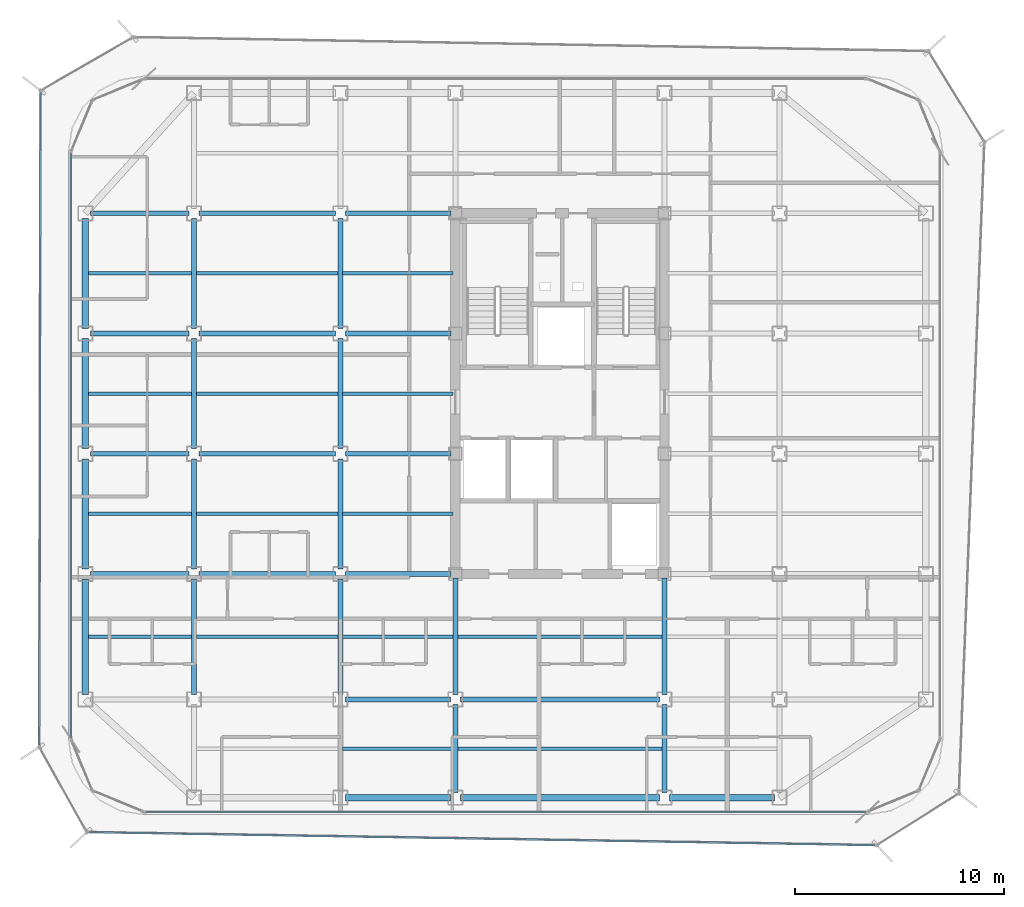
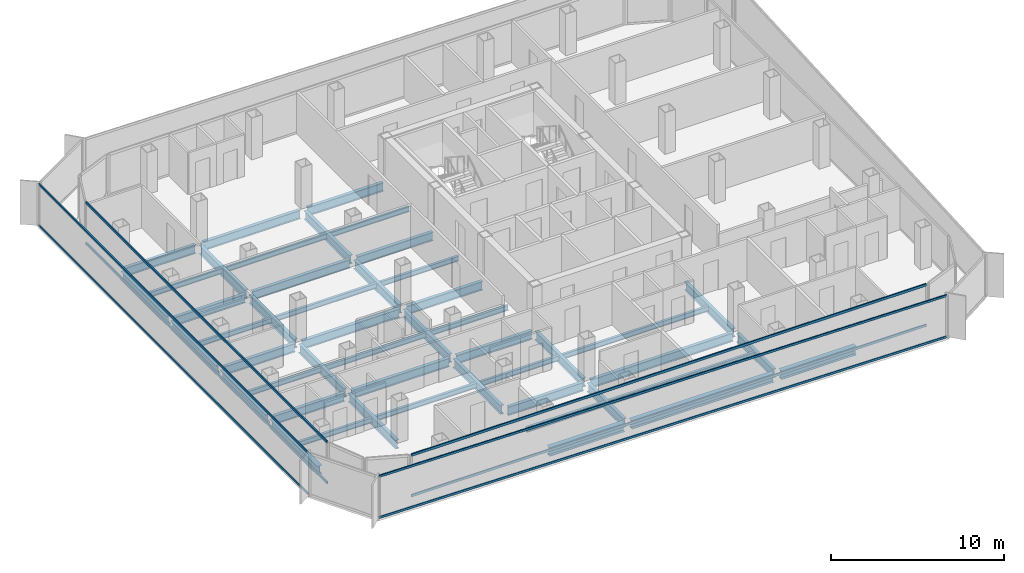
# One storey, part 3 of 16: 48 beams, 8 members, 4 elements without a shape of their own.
"""IFC4 building model written with IfcOpenShell, lengths in metres."""

from ifc_helpers import new_model, si_unit, direction, frame, origin, origin_2d, place, context, subcontext, project, spatial, hollow_rectangle, i_section, extrude, source, transform, mapped, material, layer, layer_set, material_profile, profile_set, type_object, element, aggregate, save


model = new_model("IFC4")

# Units and contexts
model_context = context("Model", 3, precision=1e-05, world=origin(), true_north=direction((0.0, 1.0)))
body_context = subcontext(model_context, "Body", "Model", "MODEL_VIEW")
ifc_project = project(units=[si_unit("LENGTHUNIT", "METRE"), si_unit("AREAUNIT", "SQUARE_METRE"), si_unit("VOLUMEUNIT", "CUBIC_METRE"), si_unit("PLANEANGLEUNIT", "RADIAN"), si_unit("MASSUNIT", "GRAM", prefix="KILO")], contexts=[model_context])

# Site, building, storey
site_placement = place(None, origin())
site = spatial("IfcSite", under=ifc_project, at=site_placement, CompositionType="ELEMENT")
building_placement = place(site_placement, origin())
building = spatial("IfcBuilding", under=site, at=building_placement, Name="Kolveth Station Tower", CompositionType="ELEMENT")
storey_placement = place(building_placement, frame((0.0, 0.0, 206.0)))
storey = spatial("IfcBuildingStorey", under=building, at=storey_placement, Name="L58", CompositionType="ELEMENT", Elevation=206.0)

# Beams
ifc_material_1 = material(Name="Steel S355", Category="steel")
ifc_material_profile_1 = material_profile(ifc_material_1, i_section(OverallWidth=0.323974609375, OverallDepth=0.611083984375, WebThickness=0.0126953125, FlangeThickness=0.01904296875, at=origin_2d()), Name="W610x155")
ifc_profile_set_1 = profile_set([ifc_material_profile_1], Name="Steel S355")
beam_type_1 = type_object("IfcBeamType", Name="Beam_SP2", PredefinedType="SPANDREL", material=ifc_profile_set_1)
shared_shape_1 = source(origin(), body_context, "Body", "SweptSolid", [
    extrude(i_section(OverallWidth=0.323974609375, OverallDepth=0.611083984375, WebThickness=0.0126953125, FlangeThickness=0.01904296875, at=origin_2d()), origin(), (0.0, 0.0, 1.0), 5.02001953125),
])
for number, where, z_axis, x_axis, name in (
    (1, (13.239990234375, 0.800048828125, -0.555419921875), (1.0, 0.0, 0.0), (0.0, 1.0, 0.0), "L58 Perimeter Spandrel BM-L58-PS-2"),
    (2, (28.739990234375, 0.800048828125, -0.555419921875), (1.0, 0.0, 0.0), (0.0, 1.0, 0.0), "L58 Perimeter Spandrel BM-L58-PS-4"),
):
    element("IfcBeam", number, at=place(storey_placement, frame(where, z_axis=z_axis, x_axis=x_axis)), inside=storey, type_object=beam_type_1, Name=name, PredefinedType="SPANDREL", context=body_context, shape_type="MappedRepresentation", body=[
        mapped(shared_shape_1, transform((0.0, 0.0, 0.0), x_axis=(1.0, 0.0, 0.0), y_axis=(0.0, 1.0, 0.0), z_axis=(0.0, 0.0, 1.0), scale=1.0)),
    ])
shared_shape_2 = source(origin(), body_context, "Body", "SweptSolid", [
    extrude(i_section(OverallWidth=0.323974609375, OverallDepth=0.611083984375, WebThickness=0.0126953125, FlangeThickness=0.01904296875, at=origin_2d()), origin(), (0.0, 0.0, 1.0), 9.52001953125),
])
beam_1_placement = place(storey_placement, frame((18.739990234375, 0.800048828125, -0.555419921875), z_axis=(1.0, 0.0, 0.0), x_axis=(0.0, 1.0, 0.0)))
element("IfcBeam", 3, at=beam_1_placement, inside=storey, type_object=beam_type_1, Name="L58 Perimeter Spandrel BM-L58-PS-3", PredefinedType="SPANDREL", context=body_context, shape_type="MappedRepresentation", body=[
    mapped(shared_shape_2, transform((0.0, 0.0, 0.0), x_axis=(1.0, 0.0, 0.0), y_axis=(0.0, 1.0, 0.0), z_axis=(0.0, 0.0, 1.0), scale=1.0)),
])
shared_shape_3 = source(origin(), body_context, "Body", "SweptSolid", [
    extrude(i_section(OverallWidth=0.323974609375, OverallDepth=0.611083984375, WebThickness=0.0126953125, FlangeThickness=0.01904296875, at=origin_2d()), origin(), (0.0, 0.0, 1.0), 5.52001953125),
])
beam_2_placement = place(storey_placement, frame((0.800048828125, 5.739990234375, -0.555419921875), z_axis=(0.0, 1.0, 0.0), x_axis=(-1.0, 0.0, 0.0)))
element("IfcBeam", 4, at=beam_2_placement, inside=storey, type_object=beam_type_1, Name="L58 Perimeter Spandrel BM-L58-PW-1", PredefinedType="SPANDREL", context=body_context, shape_type="MappedRepresentation", body=[
    mapped(shared_shape_3, transform((0.0, 0.0, 0.0), x_axis=(1.0, 0.0, 0.0), y_axis=(0.0, 1.0, 0.0), z_axis=(0.0, 0.0, 1.0), scale=1.0)),
])
shared_shape_4 = source(origin(), body_context, "Body", "SweptSolid", [
    extrude(i_section(OverallWidth=0.323974609375, OverallDepth=0.611083984375, WebThickness=0.0126953125, FlangeThickness=0.01904296875, at=origin_2d()), origin(), (0.0, 0.0, 1.0), 5.27001953125),
])
for number, where, z_axis, x_axis, name in (
    (5, (0.800048828125, 11.739990234375, -0.555419921875), (0.0, 1.0, 0.0), (-1.0, 0.0, 0.0), "L58 Perimeter Spandrel BM-L58-PW-2"),
    (6, (0.800048828125, 17.489990234375, -0.555419921875), (0.0, 1.0, 0.0), (-1.0, 0.0, 0.0), "L58 Perimeter Spandrel BM-L58-PW-3"),
    (7, (0.800048828125, 23.239990234375, -0.555419921875), (0.0, 1.0, 0.0), (-1.0, 0.0, 0.0), "L58 Perimeter Spandrel BM-L58-PW-4"),
):
    element("IfcBeam", number, at=place(storey_placement, frame(where, z_axis=z_axis, x_axis=x_axis)), inside=storey, type_object=beam_type_1, Name=name, PredefinedType="SPANDREL", context=body_context, shape_type="MappedRepresentation", body=[
        mapped(shared_shape_4, transform((0.0, 0.0, 0.0), x_axis=(1.0, 0.0, 0.0), y_axis=(0.0, 1.0, 0.0), z_axis=(0.0, 0.0, 1.0), scale=1.0)),
    ])
ifc_material_profile_2 = material_profile(ifc_material_1, i_section(OverallWidth=0.22900390625, OverallDepth=0.612060546875, WebThickness=0.011962890625, FlangeThickness=0.01953125, at=origin_2d()), Name="W610x125")
ifc_profile_set_2 = profile_set([ifc_material_profile_2], Name="Steel S355")
beam_type_2 = type_object("IfcBeamType", Name="Beam_B5", PredefinedType="BEAM", material=ifc_profile_set_2)
shared_shape_5 = source(origin(), body_context, "Body", "SweptSolid", [
    extrude(i_section(OverallWidth=0.22900390625, OverallDepth=0.612060546875, WebThickness=0.011962890625, FlangeThickness=0.01953125, at=origin_2d()), origin(), (0.0, 0.0, 1.0), 4.719970703125),
])
for number, where, z_axis, x_axis, name in (
    (8, (1.0400390625, 11.5, -0.555908203125), (1.0, 0.0, 0.0), (0.0, 1.0, 0.0), "L58 Primary Girder BM-L58-GY115-1"),
    (9, (1.0400390625, 17.25, -0.555908203125), (1.0, 0.0, 0.0), (0.0, 1.0, 0.0), "L58 Primary Girder BM-L58-GY172-1"),
    (10, (1.0400390625, 23.0, -0.555908203125), (1.0, 0.0, 0.0), (0.0, 1.0, 0.0), "L58 Primary Girder BM-L58-GY230-1"),
    (11, (1.0400390625, 28.75, -0.555908203125), (1.0, 0.0, 0.0), (0.0, 1.0, 0.0), "L58 Primary Girder BM-L58-GY287-1"),
):
    element("IfcBeam", number, at=place(storey_placement, frame(where, z_axis=z_axis, x_axis=x_axis)), inside=storey, type_object=beam_type_2, Name=name, PredefinedType="BEAM", context=body_context, shape_type="MappedRepresentation", body=[
        mapped(shared_shape_5, transform((0.0, 0.0, 0.0), x_axis=(1.0, 0.0, 0.0), y_axis=(0.0, 1.0, 0.0), z_axis=(0.0, 0.0, 1.0), scale=1.0)),
    ])
shared_shape_6 = source(origin(), body_context, "Body", "SweptSolid", [
    extrude(i_section(OverallWidth=0.22900390625, OverallDepth=0.612060546875, WebThickness=0.011962890625, FlangeThickness=0.01953125, at=origin_2d()), origin(), (0.0, 0.0, 1.0), 6.52001953125),
])
for number, where, z_axis, x_axis, name in (
    (12, (6.239990234375, 11.5, -0.555908203125), (1.0, 0.0, 0.0), (0.0, 1.0, 0.0), "L58 Primary Girder BM-L58-GY115-2"),
    (13, (6.239990234375, 17.25, -0.555908203125), (1.0, 0.0, 0.0), (0.0, 1.0, 0.0), "L58 Primary Girder BM-L58-GY172-2"),
    (14, (6.239990234375, 23.0, -0.555908203125), (1.0, 0.0, 0.0), (0.0, 1.0, 0.0), "L58 Primary Girder BM-L58-GY230-2"),
    (15, (6.239990234375, 28.75, -0.555908203125), (1.0, 0.0, 0.0), (0.0, 1.0, 0.0), "L58 Primary Girder BM-L58-GY287-2"),
):
    element("IfcBeam", number, at=place(storey_placement, frame(where, z_axis=z_axis, x_axis=x_axis)), inside=storey, type_object=beam_type_2, Name=name, PredefinedType="BEAM", context=body_context, shape_type="MappedRepresentation", body=[
        mapped(shared_shape_6, transform((0.0, 0.0, 0.0), x_axis=(1.0, 0.0, 0.0), y_axis=(0.0, 1.0, 0.0), z_axis=(0.0, 0.0, 1.0), scale=1.0)),
    ])
shared_shape_7 = source(origin(), body_context, "Body", "SweptSolid", [
    extrude(i_section(OverallWidth=0.22900390625, OverallDepth=0.612060546875, WebThickness=0.011962890625, FlangeThickness=0.01953125, at=origin_2d()), origin(), (0.0, 0.0, 1.0), 5.02001953125),
])
beam_3_placement = place(storey_placement, frame((13.239990234375, 5.5, -0.555908203125), z_axis=(1.0, 0.0, 0.0), x_axis=(0.0, 1.0, 0.0)))
element("IfcBeam", 16, at=beam_3_placement, inside=storey, type_object=beam_type_2, Name="L58 Primary Girder BM-L58-GY55-3", PredefinedType="BEAM", context=body_context, shape_type="MappedRepresentation", body=[
    mapped(shared_shape_7, transform((0.0, 0.0, 0.0), x_axis=(1.0, 0.0, 0.0), y_axis=(0.0, 1.0, 0.0), z_axis=(0.0, 0.0, 1.0), scale=1.0)),
])
shared_shape_8 = source(origin(), body_context, "Body", "SweptSolid", [
    extrude(i_section(OverallWidth=0.22900390625, OverallDepth=0.612060546875, WebThickness=0.011962890625, FlangeThickness=0.01953125, at=origin_2d()), origin(), (0.0, 0.0, 1.0), 9.52001953125),
])
beam_4_placement = place(storey_placement, frame((18.739990234375, 5.5, -0.555908203125), z_axis=(1.0, 0.0, 0.0), x_axis=(0.0, 1.0, 0.0)))
element("IfcBeam", 17, at=beam_4_placement, inside=storey, type_object=beam_type_2, Name="L58 Primary Girder BM-L58-GY55-4", PredefinedType="BEAM", context=body_context, shape_type="MappedRepresentation", body=[
    mapped(shared_shape_8, transform((0.0, 0.0, 0.0), x_axis=(1.0, 0.0, 0.0), y_axis=(0.0, 1.0, 0.0), z_axis=(0.0, 0.0, 1.0), scale=1.0)),
])
shared_shape_9 = source(origin(), body_context, "Body", "SweptSolid", [
    extrude(i_section(OverallWidth=0.22900390625, OverallDepth=0.612060546875, WebThickness=0.011962890625, FlangeThickness=0.01953125, at=origin_2d()), origin(), (0.0, 0.0, 1.0), 5.06005859375),
])
for number, where, z_axis, x_axis, name in (
    (18, (13.239990234375, 11.5, -0.555908203125), (1.0, 0.0, 0.0), (0.0, 1.0, 0.0), "L58 Primary Girder BM-L58-GY115-3"),
    (19, (13.239990234375, 17.25, -0.555908203125), (1.0, 0.0, 0.0), (0.0, 1.0, 0.0), "L58 Primary Girder BM-L58-GY172-3"),
    (20, (13.239990234375, 23.0, -0.555908203125), (1.0, 0.0, 0.0), (0.0, 1.0, 0.0), "L58 Primary Girder BM-L58-GY230-3"),
    (21, (13.239990234375, 28.75, -0.555908203125), (1.0, 0.0, 0.0), (0.0, 1.0, 0.0), "L58 Primary Girder BM-L58-GY287-3"),
):
    element("IfcBeam", number, at=place(storey_placement, frame(where, z_axis=z_axis, x_axis=x_axis)), inside=storey, type_object=beam_type_2, Name=name, PredefinedType="BEAM", context=body_context, shape_type="MappedRepresentation", body=[
        mapped(shared_shape_9, transform((0.0, 0.0, 0.0), x_axis=(1.0, 0.0, 0.0), y_axis=(0.0, 1.0, 0.0), z_axis=(0.0, 0.0, 1.0), scale=1.0)),
    ])
shared_shape_10 = source(origin(), body_context, "Body", "SweptSolid", [
    extrude(i_section(OverallWidth=0.22900390625, OverallDepth=0.612060546875, WebThickness=0.011962890625, FlangeThickness=0.01953125, at=origin_2d()), origin(), (0.0, 0.0, 1.0), 4.219970703125),
])
for number, where, z_axis, x_axis, name in (
    (22, (18.5, 1.0400390625, -0.555908203125), (0.0, 1.0, 0.0), (-1.0, 0.0, 0.0), "L58 Primary Girder BM-L58-GX185-1"),
    (23, (28.5, 1.0400390625, -0.555908203125), (0.0, 1.0, 0.0), (-1.0, 0.0, 0.0), "L58 Primary Girder BM-L58-GX285-1"),
):
    element("IfcBeam", number, at=place(storey_placement, frame(where, z_axis=z_axis, x_axis=x_axis)), inside=storey, type_object=beam_type_2, Name=name, PredefinedType="BEAM", context=body_context, shape_type="MappedRepresentation", body=[
        mapped(shared_shape_10, transform((0.0, 0.0, 0.0), x_axis=(1.0, 0.0, 0.0), y_axis=(0.0, 1.0, 0.0), z_axis=(0.0, 0.0, 1.0), scale=1.0)),
    ])
shared_shape_11 = source(origin(), body_context, "Body", "SweptSolid", [
    extrude(i_section(OverallWidth=0.22900390625, OverallDepth=0.612060546875, WebThickness=0.011962890625, FlangeThickness=0.01953125, at=origin_2d()), origin(), (0.0, 0.0, 1.0), 5.52001953125),
])
for number, where, z_axis, x_axis, name in (
    (24, (6.0, 5.739990234375, -0.555908203125), (0.0, 1.0, 0.0), (-1.0, 0.0, 0.0), "L58 Primary Girder BM-L58-GX60-2"),
    (25, (13.0, 5.739990234375, -0.555908203125), (0.0, 1.0, 0.0), (-1.0, 0.0, 0.0), "L58 Primary Girder BM-L58-GX130-2"),
):
    element("IfcBeam", number, at=place(storey_placement, frame(where, z_axis=z_axis, x_axis=x_axis)), inside=storey, type_object=beam_type_2, Name=name, PredefinedType="BEAM", context=body_context, shape_type="MappedRepresentation", body=[
        mapped(shared_shape_11, transform((0.0, 0.0, 0.0), x_axis=(1.0, 0.0, 0.0), y_axis=(0.0, 1.0, 0.0), z_axis=(0.0, 0.0, 1.0), scale=1.0)),
    ])
shared_shape_12 = source(origin(), body_context, "Body", "SweptSolid", [
    extrude(i_section(OverallWidth=0.22900390625, OverallDepth=0.612060546875, WebThickness=0.011962890625, FlangeThickness=0.01953125, at=origin_2d()), origin(), (0.0, 0.0, 1.0), 5.27001953125),
])
for number, where, z_axis, x_axis, name in (
    (26, (6.0, 11.739990234375, -0.555908203125), (0.0, 1.0, 0.0), (-1.0, 0.0, 0.0), "L58 Primary Girder BM-L58-GX60-3"),
    (27, (6.0, 17.489990234375, -0.555908203125), (0.0, 1.0, 0.0), (-1.0, 0.0, 0.0), "L58 Primary Girder BM-L58-GX60-4"),
    (28, (6.0, 23.239990234375, -0.555908203125), (0.0, 1.0, 0.0), (-1.0, 0.0, 0.0), "L58 Primary Girder BM-L58-GX60-5"),
    (29, (13.0, 11.739990234375, -0.555908203125), (0.0, 1.0, 0.0), (-1.0, 0.0, 0.0), "L58 Primary Girder BM-L58-GX130-3"),
    (30, (13.0, 17.489990234375, -0.555908203125), (0.0, 1.0, 0.0), (-1.0, 0.0, 0.0), "L58 Primary Girder BM-L58-GX130-4"),
    (31, (13.0, 23.239990234375, -0.555908203125), (0.0, 1.0, 0.0), (-1.0, 0.0, 0.0), "L58 Primary Girder BM-L58-GX130-5"),
):
    element("IfcBeam", number, at=place(storey_placement, frame(where, z_axis=z_axis, x_axis=x_axis)), inside=storey, type_object=beam_type_2, Name=name, PredefinedType="BEAM", context=body_context, shape_type="MappedRepresentation", body=[
        mapped(shared_shape_12, transform((0.0, 0.0, 0.0), x_axis=(1.0, 0.0, 0.0), y_axis=(0.0, 1.0, 0.0), z_axis=(0.0, 0.0, 1.0), scale=1.0)),
    ])
shared_shape_13 = source(origin(), body_context, "Body", "SweptSolid", [
    extrude(i_section(OverallWidth=0.22900390625, OverallDepth=0.612060546875, WebThickness=0.011962890625, FlangeThickness=0.01953125, at=origin_2d()), origin(), (0.0, 0.0, 1.0), 5.56005859375),
])
for number, where, z_axis, x_axis, name in (
    (32, (18.5, 5.739990234375, -0.555908203125), (0.0, 1.0, 0.0), (-1.0, 0.0, 0.0), "L58 Primary Girder BM-L58-GX185-2"),
    (33, (28.5, 5.739990234375, -0.555908203125), (0.0, 1.0, 0.0), (-1.0, 0.0, 0.0), "L58 Primary Girder BM-L58-GX285-2"),
):
    element("IfcBeam", number, at=place(storey_placement, frame(where, z_axis=z_axis, x_axis=x_axis)), inside=storey, type_object=beam_type_2, Name=name, PredefinedType="BEAM", context=body_context, shape_type="MappedRepresentation", body=[
        mapped(shared_shape_13, transform((0.0, 0.0, 0.0), x_axis=(1.0, 0.0, 0.0), y_axis=(0.0, 1.0, 0.0), z_axis=(0.0, 0.0, 1.0), scale=1.0)),
    ])
ifc_material_profile_3 = material_profile(ifc_material_1, i_section(OverallWidth=0.1708984375, OverallDepth=0.35205078125, WebThickness=0.0068359375, FlangeThickness=0.009765625, at=origin_2d()), Name="W360x44")
ifc_profile_set_3 = profile_set([ifc_material_profile_3], Name="Steel S355")
beam_type_3 = type_object("IfcBeamType", Name="Beam_J2", PredefinedType="JOIST", material=ifc_profile_set_3)
shared_shape_14 = source(origin(), body_context, "Body", "SweptSolid", [
    extrude(i_section(OverallWidth=0.1708984375, OverallDepth=0.35205078125, WebThickness=0.0068359375, FlangeThickness=0.009765625, at=origin_2d()), origin(), (0.0, 0.0, 1.0), 4.927490234375),
])
for number, where, z_axis, x_axis, name in (
    (34, (0.9599609375, 8.5, -0.426025390625), (1.0, 0.0, 0.0), (0.0, 1.0, 0.0), "L58 Secondary Joist JST-L58-1-2"),
    (35, (0.9599609375, 14.375, -0.426025390625), (1.0, 0.0, 0.0), (0.0, 1.0, 0.0), "L58 Secondary Joist JST-L58-1-3"),
    (36, (0.9599609375, 20.125, -0.426025390625), (1.0, 0.0, 0.0), (0.0, 1.0, 0.0), "L58 Secondary Joist JST-L58-1-4"),
    (37, (0.9599609375, 25.875, -0.426025390625), (1.0, 0.0, 0.0), (0.0, 1.0, 0.0), "L58 Secondary Joist JST-L58-1-5"),
):
    element("IfcBeam", number, at=place(storey_placement, frame(where, z_axis=z_axis, x_axis=x_axis)), inside=storey, type_object=beam_type_3, Name=name, PredefinedType="JOIST", context=body_context, shape_type="MappedRepresentation", body=[
        mapped(shared_shape_14, transform((0.0, 0.0, 0.0), x_axis=(1.0, 0.0, 0.0), y_axis=(0.0, 1.0, 0.0), z_axis=(0.0, 0.0, 1.0), scale=1.0)),
    ])
shared_shape_15 = source(origin(), body_context, "Body", "SweptSolid", [
    extrude(i_section(OverallWidth=0.1708984375, OverallDepth=0.35205078125, WebThickness=0.0068359375, FlangeThickness=0.009765625, at=origin_2d()), origin(), (0.0, 0.0, 1.0), 6.77490234375),
])
for number, where, z_axis, x_axis, name in (
    (38, (6.112548828125, 8.5, -0.426025390625), (1.0, 0.0, 0.0), (0.0, 1.0, 0.0), "L58 Secondary Joist JST-L58-2-2"),
    (39, (6.112548828125, 14.375, -0.426025390625), (1.0, 0.0, 0.0), (0.0, 1.0, 0.0), "L58 Secondary Joist JST-L58-2-3"),
    (40, (6.112548828125, 20.125, -0.426025390625), (1.0, 0.0, 0.0), (0.0, 1.0, 0.0), "L58 Secondary Joist JST-L58-2-4"),
    (41, (6.112548828125, 25.875, -0.426025390625), (1.0, 0.0, 0.0), (0.0, 1.0, 0.0), "L58 Secondary Joist JST-L58-2-5"),
):
    element("IfcBeam", number, at=place(storey_placement, frame(where, z_axis=z_axis, x_axis=x_axis)), inside=storey, type_object=beam_type_3, Name=name, PredefinedType="JOIST", context=body_context, shape_type="MappedRepresentation", body=[
        mapped(shared_shape_15, transform((0.0, 0.0, 0.0), x_axis=(1.0, 0.0, 0.0), y_axis=(0.0, 1.0, 0.0), z_axis=(0.0, 0.0, 1.0), scale=1.0)),
    ])
shared_shape_16 = source(origin(), body_context, "Body", "SweptSolid", [
    extrude(i_section(OverallWidth=0.1708984375, OverallDepth=0.35205078125, WebThickness=0.0068359375, FlangeThickness=0.009765625, at=origin_2d()), origin(), (0.0, 0.0, 1.0), 5.27490234375),
])
for number, where, z_axis, x_axis, name in (
    (42, (13.112548828125, 3.14990234375, -0.426025390625), (1.0, 0.0, 0.0), (0.0, 1.0, 0.0), "L58 Secondary Joist JST-L58-3-1"),
    (43, (13.112548828125, 8.5, -0.426025390625), (1.0, 0.0, 0.0), (0.0, 1.0, 0.0), "L58 Secondary Joist JST-L58-3-2"),
    (44, (13.112548828125, 14.375, -0.426025390625), (1.0, 0.0, 0.0), (0.0, 1.0, 0.0), "L58 Secondary Joist JST-L58-3-3"),
    (45, (13.112548828125, 20.125, -0.426025390625), (1.0, 0.0, 0.0), (0.0, 1.0, 0.0), "L58 Secondary Joist JST-L58-3-4"),
    (46, (13.112548828125, 25.875, -0.426025390625), (1.0, 0.0, 0.0), (0.0, 1.0, 0.0), "L58 Secondary Joist JST-L58-3-5"),
):
    element("IfcBeam", number, at=place(storey_placement, frame(where, z_axis=z_axis, x_axis=x_axis)), inside=storey, type_object=beam_type_3, Name=name, PredefinedType="JOIST", context=body_context, shape_type="MappedRepresentation", body=[
        mapped(shared_shape_16, transform((0.0, 0.0, 0.0), x_axis=(1.0, 0.0, 0.0), y_axis=(0.0, 1.0, 0.0), z_axis=(0.0, 0.0, 1.0), scale=1.0)),
    ])
shared_shape_17 = source(origin(), body_context, "Body", "SweptSolid", [
    extrude(i_section(OverallWidth=0.1708984375, OverallDepth=0.35205078125, WebThickness=0.0068359375, FlangeThickness=0.009765625, at=origin_2d()), origin(), (0.0, 0.0, 1.0), 9.77490234375),
])
for number, where, z_axis, x_axis, name in (
    (47, (18.612548828125, 3.14990234375, -0.426025390625), (1.0, 0.0, 0.0), (0.0, 1.0, 0.0), "L58 Secondary Joist JST-L58-4-1"),
    (48, (18.612548828125, 8.5, -0.426025390625), (1.0, 0.0, 0.0), (0.0, 1.0, 0.0), "L58 Secondary Joist JST-L58-4-2"),
):
    element("IfcBeam", number, at=place(storey_placement, frame(where, z_axis=z_axis, x_axis=x_axis)), inside=storey, type_object=beam_type_3, Name=name, PredefinedType="JOIST", context=body_context, shape_type="MappedRepresentation", body=[
        mapped(shared_shape_17, transform((0.0, 0.0, 0.0), x_axis=(1.0, 0.0, 0.0), y_axis=(0.0, 1.0, 0.0), z_axis=(0.0, 0.0, 1.0), scale=1.0)),
    ])

# Curtain wall, members
ifc_material_2 = material(Name="Aluminium 6063-T6 and low-E dark glass", Category="aluminium")
ifc_layer_1 = layer(ifc_material_2, 0.18994140625)
ifc_layer_set_1 = layer_set([ifc_layer_1], Name="Aluminium 6063-T6 and low-E dark glass")
curtain_wall_type_1 = type_object("IfcCurtainWallType", Name="CurtainWall_CW-Z2", PredefinedType="NOTDEFINED", material=ifc_layer_set_1)
curtain_wall_1_placement = place(storey_placement, origin())
curtain_wall_1 = element("IfcCurtainWall", 49, at=curtain_wall_1_placement, inside=storey, type_object=curtain_wall_type_1, Name="L58 Inner Thermal Curtain Wall 9", PredefinedType="NOTDEFINED")
ifc_material_3 = material(Name="Black anodized aluminium 6063-T6", Category="aluminium")
ifc_material_profile_4 = material_profile(ifc_material_3, hollow_rectangle(XDim=0.080078125, YDim=0.169921875, WallThickness=0.0048828125, at=origin_2d()), Name="ALU-80x170x5")
ifc_profile_set_4 = profile_set([ifc_material_profile_4], Name="Black anodized aluminium 6063-T6")
member_type_1 = type_object("IfcMemberType", Name="Transom_TR2", PredefinedType="USERDEFINED", material=ifc_profile_set_4)
shared_shape_18 = source(origin(), body_context, "Body", "SweptSolid", [
    extrude(hollow_rectangle(XDim=0.080078125, YDim=0.169921875, WallThickness=0.0048828125, at=origin_2d()), origin(), (0.0, 0.0, 1.0), 27.940185546875),
])
member_1_placement = place(storey_placement, frame((0.1201171875, 31.6201171875, 0.0400390625), z_axis=(0.0, -1.0, 0.0), x_axis=(1.0, 0.0, 0.0)))
member_1 = element("IfcMember", 50, at=member_1_placement, type_object=member_type_1, Name="CW-Z2 transom 1.1", ObjectType="TRANSOM", PredefinedType="USERDEFINED", context=body_context, shape_type="MappedRepresentation", body=[
    mapped(shared_shape_18, transform((0.0, 0.0, 0.0), x_axis=(1.0, 0.0, 0.0), y_axis=(0.0, 1.0, 0.0), z_axis=(0.0, 0.0, 1.0), scale=1.0)),
])
member_2_placement = place(storey_placement, frame((0.1201171875, 31.6201171875, 2.909912109375), z_axis=(0.0, -1.0, 0.0), x_axis=(1.0, 0.0, 0.0)))
member_2 = element("IfcMember", 51, at=member_2_placement, type_object=member_type_1, Name="CW-Z2 transom 1.2", ObjectType="TRANSOM", PredefinedType="USERDEFINED", context=body_context, shape_type="MappedRepresentation", body=[
    mapped(shared_shape_18, transform((0.0, 0.0, 0.0), x_axis=(1.0, 0.0, 0.0), y_axis=(0.0, 1.0, 0.0), z_axis=(0.0, 0.0, 1.0), scale=1.0)),
])
aggregate(curtain_wall_1, [member_1, member_2])

curtain_wall_2_placement = place(storey_placement, origin())
curtain_wall_2 = element("IfcCurtainWall", 52, at=curtain_wall_2_placement, inside=storey, type_object=curtain_wall_type_1, Name="L58 Inner Thermal Curtain Wall 12", PredefinedType="NOTDEFINED")
shared_shape_19 = source(origin(), body_context, "Body", "SweptSolid", [
    extrude(hollow_rectangle(XDim=0.080078125, YDim=0.169921875, WallThickness=0.0048828125, at=origin_2d()), origin(), (0.0, 0.0, 1.0), 34.440185546875),
])
member_3_placement = place(storey_placement, frame((3.679931640625, 0.1201171875, 0.0400390625), z_axis=(1.0, 0.0, 0.0), x_axis=(0.0, 1.0, 0.0)))
member_3 = element("IfcMember", 53, at=member_3_placement, type_object=member_type_1, Name="CW-Z2 transom 1.1", ObjectType="TRANSOM", PredefinedType="USERDEFINED", context=body_context, shape_type="MappedRepresentation", body=[
    mapped(shared_shape_19, transform((0.0, 0.0, 0.0), x_axis=(1.0, 0.0, 0.0), y_axis=(0.0, 1.0, 0.0), z_axis=(0.0, 0.0, 1.0), scale=1.0)),
])
member_4_placement = place(storey_placement, frame((3.679931640625, 0.1201171875, 2.909912109375), z_axis=(1.0, 0.0, 0.0), x_axis=(0.0, 1.0, 0.0)))
member_4 = element("IfcMember", 54, at=member_4_placement, type_object=member_type_1, Name="CW-Z2 transom 1.2", ObjectType="TRANSOM", PredefinedType="USERDEFINED", context=body_context, shape_type="MappedRepresentation", body=[
    mapped(shared_shape_19, transform((0.0, 0.0, 0.0), x_axis=(1.0, 0.0, 0.0), y_axis=(0.0, 1.0, 0.0), z_axis=(0.0, 0.0, 1.0), scale=1.0)),
])
aggregate(curtain_wall_2, [member_3, member_4])

ifc_material_4 = material(Name="Black anodized aluminium 6063-T6 and dark solar glass", Category="aluminium")
ifc_layer_2 = layer(ifc_material_4, 0.159912109375)
ifc_layer_set_2 = layer_set([ifc_layer_2], Name="Black anodized aluminium 6063-T6 and dark solar glass")
curtain_wall_type_2 = type_object("IfcCurtainWallType", Name="OUTER SKIN CW-OS", PredefinedType="NOTDEFINED", material=ifc_layer_set_2)
curtain_wall_3_placement = place(storey_placement, origin())
curtain_wall_3 = element("IfcCurtainWall", 55, at=curtain_wall_3_placement, inside=storey, type_object=curtain_wall_type_2, Name="L58 Outer Ventilated Skin Curtain Wall 8", PredefinedType="NOTDEFINED")
ifc_material_profile_5 = material_profile(ifc_material_3, hollow_rectangle(XDim=0.080078125, YDim=0.14990234375, WallThickness=0.0048828125, at=origin_2d()), Name="ALU-80x150x5")
ifc_profile_set_5 = profile_set([ifc_material_profile_5], Name="Black anodized aluminium 6063-T6")
member_type_2 = type_object("IfcMemberType", Name="Transom_TR-OS", PredefinedType="USERDEFINED", material=ifc_profile_set_5)
shared_shape_20 = source(origin(), body_context, "Body", "SweptSolid", [
    extrude(hollow_rectangle(XDim=0.080078125, YDim=0.14990234375, WallThickness=0.0048828125, at=origin_2d()), origin(), (0.0, 0.0, 1.0), 37.603759765625),
])
member_5_placement = place(storey_placement, frame((0.968017578125, -0.84912109375, 0.0400390625), z_axis=(0.99986315917, -0.01654276077, 0.0), x_axis=(0.01654276077, 0.99986315917, 0.0)))
member_5 = element("IfcMember", 56, at=member_5_placement, type_object=member_type_2, Name="CW-OS transom 1.1", ObjectType="TRANSOM", PredefinedType="USERDEFINED", context=body_context, shape_type="MappedRepresentation", body=[
    mapped(shared_shape_20, transform((0.0, 0.0, 0.0), x_axis=(1.0, 0.0, 0.0), y_axis=(0.0, 1.0, 0.0), z_axis=(0.0, 0.0, 1.0), scale=1.0)),
])
member_6_placement = place(storey_placement, frame((0.968017578125, -0.84912109375, 2.949951171875), z_axis=(0.99986315917, -0.01654276077, 0.0), x_axis=(0.01654276077, 0.99986315917, 0.0)))
member_6 = element("IfcMember", 57, at=member_6_placement, type_object=member_type_2, Name="CW-OS transom 1.2", ObjectType="TRANSOM", PredefinedType="USERDEFINED", context=body_context, shape_type="MappedRepresentation", body=[
    mapped(shared_shape_20, transform((0.0, 0.0, 0.0), x_axis=(1.0, 0.0, 0.0), y_axis=(0.0, 1.0, 0.0), z_axis=(0.0, 0.0, 1.0), scale=1.0)),
])
aggregate(curtain_wall_3, [member_5, member_6])

curtain_wall_4_placement = place(storey_placement, origin())
curtain_wall_4 = element("IfcCurtainWall", 58, at=curtain_wall_4_placement, inside=storey, type_object=curtain_wall_type_2, Name="L58 Outer Ventilated Skin Curtain Wall 6", PredefinedType="NOTDEFINED")
shared_shape_21 = source(origin(), body_context, "Body", "SweptSolid", [
    extrude(hollow_rectangle(XDim=0.080078125, YDim=0.14990234375, WallThickness=0.0048828125, at=origin_2d()), origin(), (0.0, 0.0, 1.0), 31.213134765625),
])
member_7_placement = place(storey_placement, frame((-1.332763671875, 34.5244140625, 0.0400390625), z_axis=(-0.002041466544, -0.999997916205, 0.0), x_axis=(0.999997916205, -0.002041466544, 0.0)))
member_7 = element("IfcMember", 59, at=member_7_placement, type_object=member_type_2, Name="CW-OS transom 1.1", ObjectType="TRANSOM", PredefinedType="USERDEFINED", context=body_context, shape_type="MappedRepresentation", body=[
    mapped(shared_shape_21, transform((0.0, 0.0, 0.0), x_axis=(1.0, 0.0, 0.0), y_axis=(0.0, 1.0, 0.0), z_axis=(0.0, 0.0, 1.0), scale=1.0)),
])
member_8_placement = place(storey_placement, frame((-1.332763671875, 34.5244140625, 2.949951171875), z_axis=(-0.002041466544, -0.999997916205, 0.0), x_axis=(0.999997916205, -0.002041466544, 0.0)))
member_8 = element("IfcMember", 60, at=member_8_placement, type_object=member_type_2, Name="CW-OS transom 1.2", ObjectType="TRANSOM", PredefinedType="USERDEFINED", context=body_context, shape_type="MappedRepresentation", body=[
    mapped(shared_shape_21, transform((0.0, 0.0, 0.0), x_axis=(1.0, 0.0, 0.0), y_axis=(0.0, 1.0, 0.0), z_axis=(0.0, 0.0, 1.0), scale=1.0)),
])
aggregate(curtain_wall_4, [member_7, member_8])

save(model, "model.ifc")
